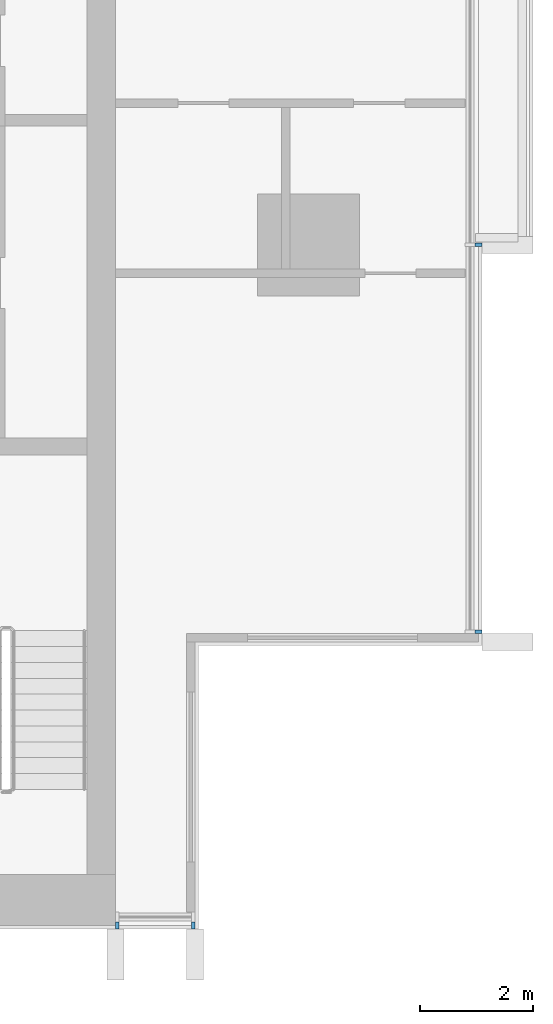
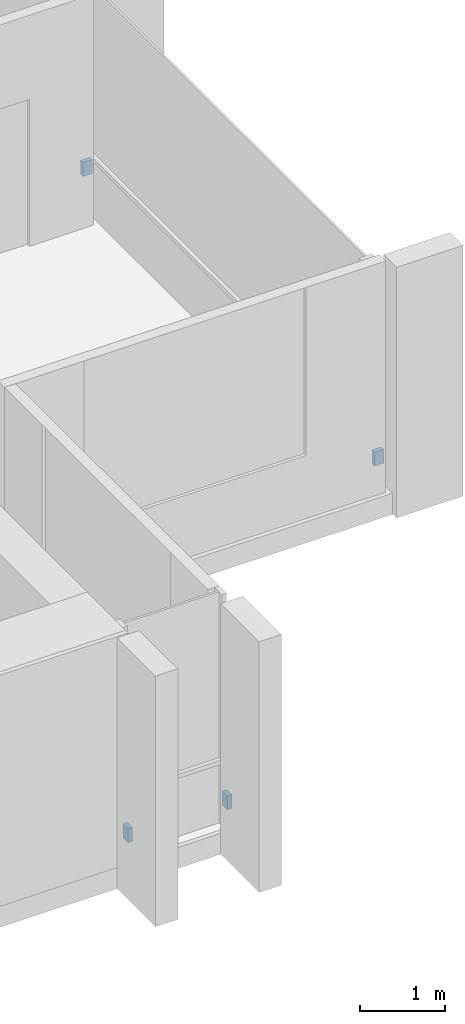
# One storey, part 13 of 16: 4 discrete accessories.
"""IFC4 building model written with IfcOpenShell, lengths in metres."""

from ifc_helpers import new_model, si_unit, direction, frame, origin, origin_2d, place, context, subcontext, project, spatial, rectangle, extrude, material, type_object, element, save


model = new_model("IFC4")

# Units and contexts
model_context = context("Model", 3, precision=1e-05, world=origin(), true_north=direction((0.0, 1.0)))
body_context = subcontext(model_context, "Body", "Model", "MODEL_VIEW")
ifc_project = project(units=[si_unit("LENGTHUNIT", "METRE"), si_unit("AREAUNIT", "SQUARE_METRE"), si_unit("VOLUMEUNIT", "CUBIC_METRE"), si_unit("PLANEANGLEUNIT", "RADIAN"), si_unit("MASSUNIT", "GRAM", prefix="KILO")], contexts=[model_context])

# Site, building, storey
site_placement = place(None, origin())
site = spatial("IfcSite", under=ifc_project, at=site_placement, CompositionType="ELEMENT")
building_placement = place(site_placement, origin())
building = spatial("IfcBuilding", under=site, at=building_placement, Name="Finial Court Residences", CompositionType="ELEMENT")
storey_placement = place(building_placement, frame((0.0, 0.0, 280.699951171875)))
storey = spatial("IfcBuildingStorey", under=building, at=storey_placement, Name="L71", CompositionType="ELEMENT", Elevation=280.699951171875)

# Discrete accessories
ifc_material = material(Name="Stainless steel 316", Category="steel")
discrete_accessory_type = type_object("IfcDiscreteAccessoryType", Name="Fin bracket, stainless steel 60 x 122 x 200", PredefinedType="BRACKET", material=ifc_material)
for number, where, z_axis, x_axis, name in (
    (1, (19.498779296875, -20.320068359375, 0.30029296875), (0.0, 0.0, 1.0), (1.0, 0.0, 0.0), "E-L71-FIN-E7-BRK"),
    (2, (19.498779296875, -13.5, 0.30029296875), (0.0, 0.0, 1.0), (1.0, 0.0, 0.0), "E-L71-FIN-E8-BRK"),
):
    element("IfcDiscreteAccessory", number, at=place(storey_placement, frame(where, z_axis=z_axis, x_axis=x_axis)), inside=storey, type_object=discrete_accessory_type, Name=name, PredefinedType="BRACKET", context=body_context, shape_type="SweptSolid", body=[
        extrude(rectangle(XDim=0.12255859375, YDim=0.06005859375, at=origin_2d()), origin(), (0.0, 0.0, 1.0), 0.199951171875),
    ])
for number, where, z_axis, x_axis, name in (
    (3, (13.1298828125, -25.498779296875, 0.30029296875), (0.0, 0.0, 1.0), (1.0, 0.0, 0.0), "E-L71-FIN-S19-BRK"),
    (4, (14.469970703125, -25.498779296875, 0.30029296875), (0.0, 0.0, 1.0), (1.0, 0.0, 0.0), "E-L71-FIN-S20-BRK"),
):
    element("IfcDiscreteAccessory", number, at=place(storey_placement, frame(where, z_axis=z_axis, x_axis=x_axis)), inside=storey, type_object=discrete_accessory_type, Name=name, PredefinedType="BRACKET", context=body_context, shape_type="SweptSolid", body=[
        extrude(rectangle(XDim=0.06005859375, YDim=0.12255859375, at=origin_2d()), origin(), (0.0, 0.0, 1.0), 0.199951171875),
    ])

save(model, "model.ifc")
